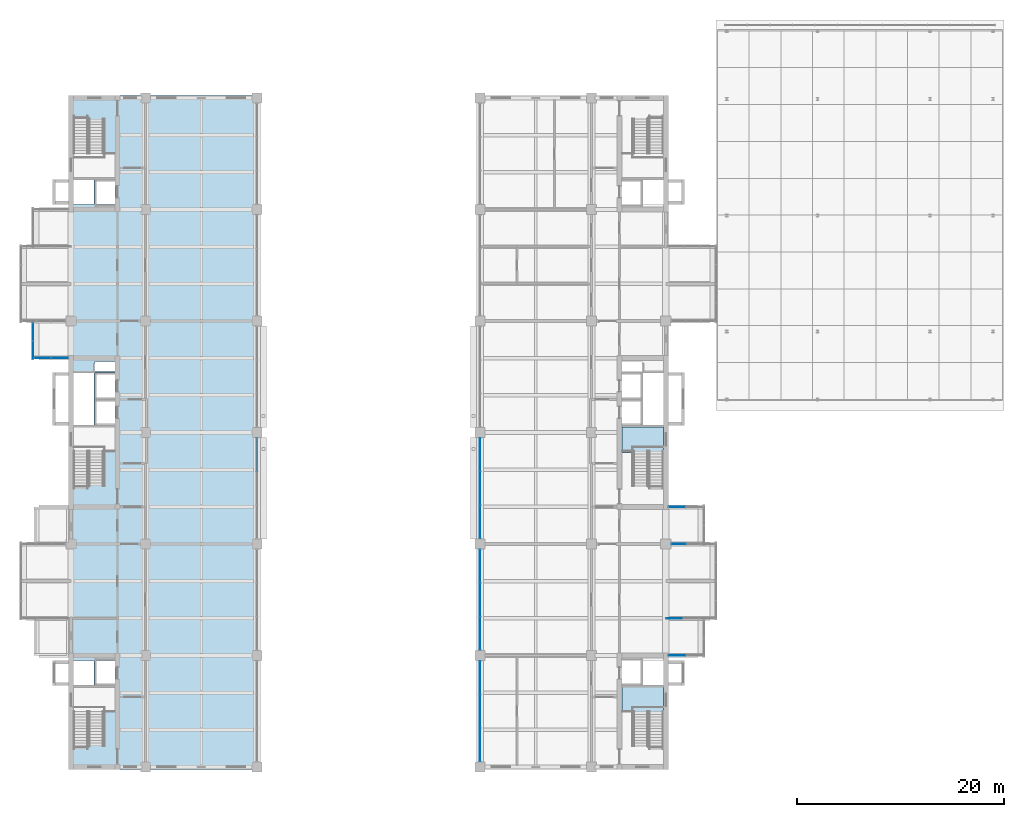
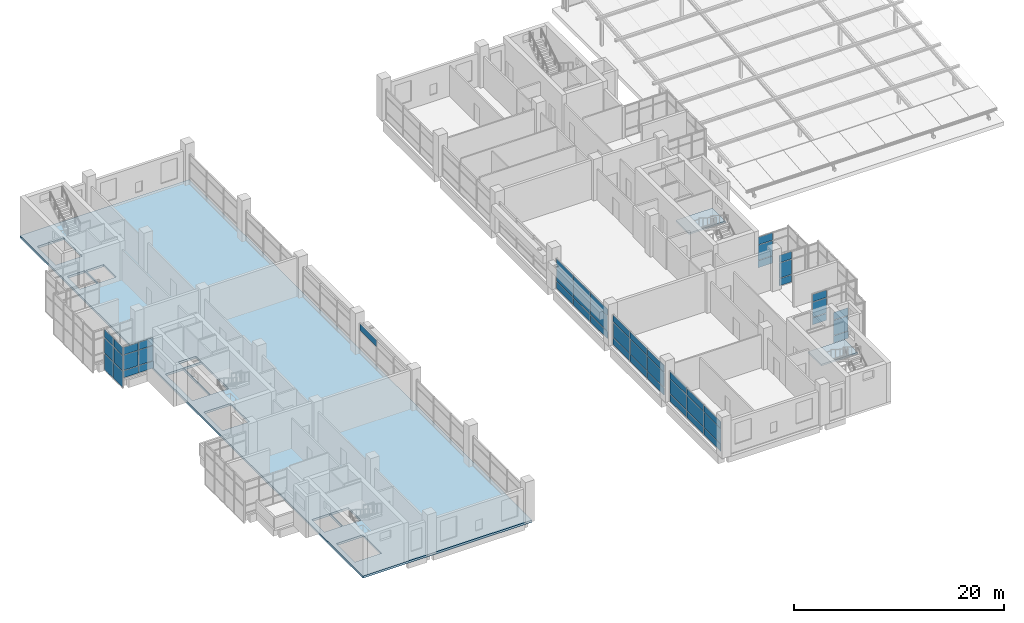
# One storey, part 30 of 44: 52 plates, 3 slabs, 12 elements without a shape of their own.
"""IFC4 building model written with IfcOpenShell, lengths in metres."""

from ifc_helpers import new_model, si_unit, direction, frame, origin, origin_2d, place, context, subcontext, project, spatial, polyline, rectangle, outline, extrude, material, layer, layer_set, type_object, element, aggregate, save


model = new_model("IFC4")

# Units and contexts
model_context = context("Model", 3, precision=1e-05, world=origin(), true_north=direction((0.0, 1.0)))
body_context = subcontext(model_context, "Body", "Model", "MODEL_VIEW")
ifc_project = project(units=[si_unit("LENGTHUNIT", "METRE"), si_unit("AREAUNIT", "SQUARE_METRE"), si_unit("VOLUMEUNIT", "CUBIC_METRE"), si_unit("PLANEANGLEUNIT", "RADIAN"), si_unit("MASSUNIT", "GRAM", prefix="KILO")], contexts=[model_context])

# Site, building, storey
site_placement = place(None, origin())
site = spatial("IfcSite", under=ifc_project, at=site_placement, CompositionType="ELEMENT")
building_placement = place(site_placement, origin())
building = spatial("IfcBuilding", under=site, at=building_placement, Name="Basin Gate Institute", CompositionType="ELEMENT")
storey_placement = place(building_placement, frame((0.0, 0.0, 27.0)))
storey = spatial("IfcBuildingStorey", under=building, at=storey_placement, Name="L05", CompositionType="ELEMENT", Elevation=27.0)

# Slab
ifc_material_1 = material(Name="Concrete 40 MPa", Category="concrete")
ifc_layer_1 = layer(ifc_material_1, 0.25)
ifc_layer_set_1 = layer_set([ifc_layer_1], Name="Concrete 40 MPa")
slab_type_1 = type_object("IfcSlabType", Name="Slab SL4 R120", PredefinedType="FLOOR", material=ifc_layer_set_1)
slab_1_placement = place(storey_placement, frame((0.0, 0.0, -0.25)))
element("IfcSlab", 1, at=slab_1_placement, inside=storey, type_object=slab_type_1, material=ifc_layer_set_1, Name="SLAB/L05/W", PredefinedType="FLOOR", context=body_context, shape_type="SweptSolid", body=[
    extrude(outline(polyline([(60.949951171875, 34.85009765625), (79.550048828125, 34.85009765625), (79.550048828125, 100.14990234375), (60.949951171875, 100.14990234375), (60.949951171875, 34.85009765625)]), holes=[polyline([(61.449951171875, 37.25), (64.39990234375, 37.25), (64.39990234375, 40.7900390625), (61.449951171875, 40.7900390625), (61.449951171875, 37.25)]), polyline([(61.449951171875, 62.449951171875), (64.39990234375, 62.449951171875), (64.39990234375, 65.989990234375), (61.449951171875, 65.989990234375), (61.449951171875, 62.449951171875)]), polyline([(61.449951171875, 94.2099609375), (64.39990234375, 94.2099609375), (64.39990234375, 97.75), (61.449951171875, 97.75), (61.449951171875, 94.2099609375)]), polyline([(61.449951171875, 43.0), (63.39990234375, 43.0), (63.39990234375, 45.39990234375), (61.449951171875, 45.39990234375), (61.449951171875, 43.0)]), polyline([(61.449951171875, 68.199951171875), (63.39990234375, 68.199951171875), (63.39990234375, 73.300048828125), (61.449951171875, 73.300048828125), (61.449951171875, 68.199951171875)]), polyline([(63.5, 73.39990234375), (65.449951171875, 73.39990234375), (65.449951171875, 74.39990234375), (63.5, 74.39990234375), (63.5, 73.39990234375)]), polyline([(61.449951171875, 89.60009765625), (63.39990234375, 89.60009765625), (63.39990234375, 92.0), (61.449951171875, 92.0), (61.449951171875, 89.60009765625)]), polyline([(63.5, 43.0), (65.449951171875, 43.0), (65.449951171875, 45.39990234375), (63.5, 45.39990234375), (63.5, 43.0)]), polyline([(65.449951171875, 68.199951171875), (63.5, 68.199951171875), (63.5, 73.300048828125), (65.449951171875, 73.300048828125), (65.449951171875, 68.199951171875)]), polyline([(63.5, 89.60009765625), (65.449951171875, 89.60009765625), (65.449951171875, 92.0), (63.5, 92.0), (63.5, 89.60009765625)])]), origin(), (0.0, 0.0, 1.0), 0.25),
])

# Curtain wall, plate
ifc_material_2 = material(Name="Aluminium-framed glazing", Category="aluminium")
ifc_layer_2 = layer(ifc_material_2, 0.199951171875)
ifc_layer_set_2 = layer_set([ifc_layer_2], Name="Atrium curtain wall CW2")
curtain_wall_type_1 = type_object("IfcCurtainWallType", Name="Atrium curtain wall CW2", PredefinedType="NOTDEFINED", material=ifc_layer_set_2)
curtain_wall_1_placement = place(storey_placement, origin())
curtain_wall_1 = element("IfcCurtainWall", 2, at=curtain_wall_1_placement, inside=storey, type_object=curtain_wall_type_1, material=ifc_layer_set_2, Name="Atrium curtain wall W wing atrium bay 3 L05", PredefinedType="NOTDEFINED")
ifc_material_3 = material(Name="Aluminium insulated spandrel panel", Category="aluminium")
ifc_layer_3 = layer(ifc_material_3, 0.050048828125)
ifc_layer_set_3 = layer_set([ifc_layer_3], Name="Spandrel panel PN2")
plate_type_1 = type_object("IfcPlateType", Name="Spandrel panel PN2", PredefinedType="CURTAIN_PANEL", material=ifc_layer_set_3)
plate_1_placement = place(storey_placement, frame((79.199951171875, 65.3515625, 2.72998046875), z_axis=(0.0, 0.0, 1.0), x_axis=(0.0, 1.0, 0.0)))
plate_1 = element("IfcPlate", 3, at=plate_1_placement, type_object=plate_type_1, material=ifc_layer_set_3, Name="CW2 spandrel panel 3.3", PredefinedType="CURTAIN_PANEL", context=body_context, shape_type="SweptSolid", body=[
    extrude(rectangle(XDim=3.1767578125, YDim=0.050048828125, at=origin_2d()), origin(), (0.0, 0.0, 1.0), 0.760009765625),
])
aggregate(curtain_wall_1, [plate_1])

# Curtain wall, plates
ifc_material_4 = material(Name="Aluminium-framed glazing", Category="aluminium")
ifc_layer_4 = layer(ifc_material_4, 0.14990234375)
ifc_layer_set_4 = layer_set([ifc_layer_4], Name="Capsule front curtain wall CW1")
curtain_wall_type_2 = type_object("IfcCurtainWallType", Name="Capsule front curtain wall CW1", PredefinedType="NOTDEFINED", material=ifc_layer_set_4)
curtain_wall_2_placement = place(storey_placement, origin())
curtain_wall_2 = element("IfcCurtainWall", 4, at=curtain_wall_2_placement, inside=storey, type_object=curtain_wall_type_2, material=ifc_layer_set_4, Name="Capsule front curtain wall W wing capsule end L05 line 12", PredefinedType="NOTDEFINED")
plate_2_placement = place(storey_placement, frame((58.449951171875, 74.699951171875, 0.06005859375), z_axis=(0.0, 0.0, 1.0), x_axis=(1.0, 0.0, 0.0)))
plate_2 = element("IfcPlate", 5, at=plate_2_placement, type_object=plate_type_1, material=ifc_layer_set_3, Name="CW1 spandrel panel 1.1", PredefinedType="CURTAIN_PANEL", context=body_context, shape_type="SweptSolid", body=[
    extrude(rectangle(XDim=1.60009765625, YDim=0.050048828125, at=origin_2d()), origin(), (0.0, 0.0, 1.0), 0.81005859375),
])
plate_3_placement = place(storey_placement, frame((60.10009765625, 74.699951171875, 0.06005859375), z_axis=(0.0, 0.0, 1.0), x_axis=(1.0, 0.0, 0.0)))
plate_3 = element("IfcPlate", 6, at=plate_3_placement, type_object=plate_type_1, material=ifc_layer_set_3, Name="CW1 spandrel panel 2.1", PredefinedType="CURTAIN_PANEL", context=body_context, shape_type="SweptSolid", body=[
    extrude(rectangle(XDim=1.60009765625, YDim=0.050048828125, at=origin_2d()), origin(), (0.0, 0.0, 1.0), 0.81005859375),
])

curtain_wall_3_placement = place(storey_placement, origin())
curtain_wall_3 = element("IfcCurtainWall", 7, at=curtain_wall_3_placement, inside=storey, type_object=curtain_wall_type_2, material=ifc_layer_set_4, Name="Capsule front curtain wall W wing capsule 2 L05 front 1", PredefinedType="NOTDEFINED")
plate_4_placement = place(storey_placement, frame((57.52490234375, 75.46240234375, -0.990234375), z_axis=(0.0, 0.0, 1.0), x_axis=(0.0, 1.0, 0.0)))
plate_4 = element("IfcPlate", 8, at=plate_4_placement, type_object=plate_type_1, material=ifc_layer_set_3, Name="CW1 spandrel panel 1.1", PredefinedType="CURTAIN_PANEL", context=body_context, shape_type="SweptSolid", body=[
    extrude(rectangle(XDim=1.72509765625, YDim=0.050048828125, at=origin_2d()), origin(), (0.0, 0.0, 1.0), 1.860107421875),
])
plate_5_placement = place(storey_placement, frame((57.52490234375, 77.237548828125, -0.990234375), z_axis=(0.0, 0.0, 1.0), x_axis=(0.0, 1.0, 0.0)))
plate_5 = element("IfcPlate", 9, at=plate_5_placement, type_object=plate_type_1, material=ifc_layer_set_3, Name="CW1 spandrel panel 2.1", PredefinedType="CURTAIN_PANEL", context=body_context, shape_type="SweptSolid", body=[
    extrude(rectangle(XDim=1.72509765625, YDim=0.050048828125, at=origin_2d()), origin(), (0.0, 0.0, 1.0), 1.860107421875),
])

curtain_wall_4_placement = place(storey_placement, origin())
curtain_wall_4 = element("IfcCurtainWall", 10, at=curtain_wall_4_placement, inside=storey, type_object=curtain_wall_type_1, material=ifc_layer_set_2, Name="Atrium curtain wall E wing atrium bay 1 L05", PredefinedType="NOTDEFINED")
plate_6_placement = place(storey_placement, frame((100.800048828125, 37.248291015625, 0.06005859375), z_axis=(0.0, 0.0, 1.0), x_axis=(0.0, 1.0, 0.0)))
plate_6 = element("IfcPlate", 11, at=plate_6_placement, type_object=plate_type_1, material=ifc_layer_set_3, Name="CW2 spandrel panel 1.1", PredefinedType="CURTAIN_PANEL", context=body_context, shape_type="SweptSolid", body=[
    extrude(rectangle(XDim=3.1767578125, YDim=0.050048828125, at=origin_2d()), origin(), (0.0, 0.0, 1.0), 0.81005859375),
])
plate_7_placement = place(storey_placement, frame((100.800048828125, 37.248291015625, 2.72998046875), z_axis=(0.0, 0.0, 1.0), x_axis=(0.0, 1.0, 0.0)))
plate_7 = element("IfcPlate", 12, at=plate_7_placement, type_object=plate_type_1, material=ifc_layer_set_3, Name="CW2 spandrel panel 1.3", PredefinedType="CURTAIN_PANEL", context=body_context, shape_type="SweptSolid", body=[
    extrude(rectangle(XDim=3.1767578125, YDim=0.050048828125, at=origin_2d()), origin(), (0.0, 0.0, 1.0), 0.760009765625),
])
plate_8_placement = place(storey_placement, frame((100.800048828125, 40.5, 0.06005859375), z_axis=(0.0, 0.0, 1.0), x_axis=(0.0, 1.0, 0.0)))
plate_8 = element("IfcPlate", 13, at=plate_8_placement, type_object=plate_type_1, material=ifc_layer_set_3, Name="CW2 spandrel panel 2.1", PredefinedType="CURTAIN_PANEL", context=body_context, shape_type="SweptSolid", body=[
    extrude(rectangle(XDim=3.206787109375, YDim=0.050048828125, at=origin_2d()), origin(), (0.0, 0.0, 1.0), 0.81005859375),
])
plate_9_placement = place(storey_placement, frame((100.800048828125, 40.5, 2.72998046875), z_axis=(0.0, 0.0, 1.0), x_axis=(0.0, 1.0, 0.0)))
plate_9 = element("IfcPlate", 14, at=plate_9_placement, type_object=plate_type_1, material=ifc_layer_set_3, Name="CW2 spandrel panel 2.3", PredefinedType="CURTAIN_PANEL", context=body_context, shape_type="SweptSolid", body=[
    extrude(rectangle(XDim=3.206787109375, YDim=0.050048828125, at=origin_2d()), origin(), (0.0, 0.0, 1.0), 0.760009765625),
])
plate_10_placement = place(storey_placement, frame((100.800048828125, 43.751708984375, 0.06005859375), z_axis=(0.0, 0.0, 1.0), x_axis=(0.0, 1.0, 0.0)))
plate_10 = element("IfcPlate", 15, at=plate_10_placement, type_object=plate_type_1, material=ifc_layer_set_3, Name="CW2 spandrel panel 3.1", PredefinedType="CURTAIN_PANEL", context=body_context, shape_type="SweptSolid", body=[
    extrude(rectangle(XDim=3.1767578125, YDim=0.050048828125, at=origin_2d()), origin(), (0.0, 0.0, 1.0), 0.81005859375),
])
plate_11_placement = place(storey_placement, frame((100.800048828125, 43.751708984375, 2.72998046875), z_axis=(0.0, 0.0, 1.0), x_axis=(0.0, 1.0, 0.0)))
plate_11 = element("IfcPlate", 16, at=plate_11_placement, type_object=plate_type_1, material=ifc_layer_set_3, Name="CW2 spandrel panel 3.3", PredefinedType="CURTAIN_PANEL", context=body_context, shape_type="SweptSolid", body=[
    extrude(rectangle(XDim=3.1767578125, YDim=0.050048828125, at=origin_2d()), origin(), (0.0, 0.0, 1.0), 0.760009765625),
])

curtain_wall_5_placement = place(storey_placement, origin())
curtain_wall_5 = element("IfcCurtainWall", 17, at=curtain_wall_5_placement, inside=storey, type_object=curtain_wall_type_1, material=ifc_layer_set_2, Name="Atrium curtain wall E wing atrium bay 2 L05", PredefinedType="NOTDEFINED")
plate_12_placement = place(storey_placement, frame((100.800048828125, 48.04833984375, 0.06005859375), z_axis=(0.0, 0.0, 1.0), x_axis=(0.0, 1.0, 0.0)))
plate_12 = element("IfcPlate", 18, at=plate_12_placement, type_object=plate_type_1, material=ifc_layer_set_3, Name="CW2 spandrel panel 1.1", PredefinedType="CURTAIN_PANEL", context=body_context, shape_type="SweptSolid", body=[
    extrude(rectangle(XDim=3.1767578125, YDim=0.050048828125, at=origin_2d()), origin(), (0.0, 0.0, 1.0), 0.81005859375),
])
plate_13_placement = place(storey_placement, frame((100.800048828125, 48.04833984375, 2.72998046875), z_axis=(0.0, 0.0, 1.0), x_axis=(0.0, 1.0, 0.0)))
plate_13 = element("IfcPlate", 19, at=plate_13_placement, type_object=plate_type_1, material=ifc_layer_set_3, Name="CW2 spandrel panel 1.3", PredefinedType="CURTAIN_PANEL", context=body_context, shape_type="SweptSolid", body=[
    extrude(rectangle(XDim=3.1767578125, YDim=0.050048828125, at=origin_2d()), origin(), (0.0, 0.0, 1.0), 0.760009765625),
])
plate_14_placement = place(storey_placement, frame((100.800048828125, 51.300048828125, 0.06005859375), z_axis=(0.0, 0.0, 1.0), x_axis=(0.0, 1.0, 0.0)))
plate_14 = element("IfcPlate", 20, at=plate_14_placement, type_object=plate_type_1, material=ifc_layer_set_3, Name="CW2 spandrel panel 2.1", PredefinedType="CURTAIN_PANEL", context=body_context, shape_type="SweptSolid", body=[
    extrude(rectangle(XDim=3.206787109375, YDim=0.050048828125, at=origin_2d()), origin(), (0.0, 0.0, 1.0), 0.81005859375),
])
plate_15_placement = place(storey_placement, frame((100.800048828125, 51.300048828125, 2.72998046875), z_axis=(0.0, 0.0, 1.0), x_axis=(0.0, 1.0, 0.0)))
plate_15 = element("IfcPlate", 21, at=plate_15_placement, type_object=plate_type_1, material=ifc_layer_set_3, Name="CW2 spandrel panel 2.3", PredefinedType="CURTAIN_PANEL", context=body_context, shape_type="SweptSolid", body=[
    extrude(rectangle(XDim=3.206787109375, YDim=0.050048828125, at=origin_2d()), origin(), (0.0, 0.0, 1.0), 0.760009765625),
])
plate_16_placement = place(storey_placement, frame((100.800048828125, 54.5517578125, 0.06005859375), z_axis=(0.0, 0.0, 1.0), x_axis=(0.0, 1.0, 0.0)))
plate_16 = element("IfcPlate", 22, at=plate_16_placement, type_object=plate_type_1, material=ifc_layer_set_3, Name="CW2 spandrel panel 3.1", PredefinedType="CURTAIN_PANEL", context=body_context, shape_type="SweptSolid", body=[
    extrude(rectangle(XDim=3.1767578125, YDim=0.050048828125, at=origin_2d()), origin(), (0.0, 0.0, 1.0), 0.81005859375),
])
plate_17_placement = place(storey_placement, frame((100.800048828125, 54.5517578125, 2.72998046875), z_axis=(0.0, 0.0, 1.0), x_axis=(0.0, 1.0, 0.0)))
plate_17 = element("IfcPlate", 23, at=plate_17_placement, type_object=plate_type_1, material=ifc_layer_set_3, Name="CW2 spandrel panel 3.3", PredefinedType="CURTAIN_PANEL", context=body_context, shape_type="SweptSolid", body=[
    extrude(rectangle(XDim=3.1767578125, YDim=0.050048828125, at=origin_2d()), origin(), (0.0, 0.0, 1.0), 0.760009765625),
])

curtain_wall_6_placement = place(storey_placement, origin())
curtain_wall_6 = element("IfcCurtainWall", 24, at=curtain_wall_6_placement, inside=storey, type_object=curtain_wall_type_1, material=ifc_layer_set_2, Name="Atrium curtain wall E wing atrium bay 3 L05", PredefinedType="NOTDEFINED")
plate_18_placement = place(storey_placement, frame((100.800048828125, 58.848388671875, 0.06005859375), z_axis=(0.0, 0.0, 1.0), x_axis=(0.0, 1.0, 0.0)))
plate_18 = element("IfcPlate", 25, at=plate_18_placement, type_object=plate_type_1, material=ifc_layer_set_3, Name="CW2 spandrel panel 1.1", PredefinedType="CURTAIN_PANEL", context=body_context, shape_type="SweptSolid", body=[
    extrude(rectangle(XDim=3.1767578125, YDim=0.050048828125, at=origin_2d()), origin(), (0.0, 0.0, 1.0), 0.81005859375),
])
plate_19_placement = place(storey_placement, frame((100.800048828125, 58.848388671875, 2.72998046875), z_axis=(0.0, 0.0, 1.0), x_axis=(0.0, 1.0, 0.0)))
plate_19 = element("IfcPlate", 26, at=plate_19_placement, type_object=plate_type_1, material=ifc_layer_set_3, Name="CW2 spandrel panel 1.3", PredefinedType="CURTAIN_PANEL", context=body_context, shape_type="SweptSolid", body=[
    extrude(rectangle(XDim=3.1767578125, YDim=0.050048828125, at=origin_2d()), origin(), (0.0, 0.0, 1.0), 0.760009765625),
])
plate_20_placement = place(storey_placement, frame((100.800048828125, 62.10009765625, 0.06005859375), z_axis=(0.0, 0.0, 1.0), x_axis=(0.0, 1.0, 0.0)))
plate_20 = element("IfcPlate", 27, at=plate_20_placement, type_object=plate_type_1, material=ifc_layer_set_3, Name="CW2 spandrel panel 2.1", PredefinedType="CURTAIN_PANEL", context=body_context, shape_type="SweptSolid", body=[
    extrude(rectangle(XDim=3.206787109375, YDim=0.050048828125, at=origin_2d()), origin(), (0.0, 0.0, 1.0), 0.81005859375),
])
plate_21_placement = place(storey_placement, frame((100.800048828125, 62.10009765625, 2.72998046875), z_axis=(0.0, 0.0, 1.0), x_axis=(0.0, 1.0, 0.0)))
plate_21 = element("IfcPlate", 28, at=plate_21_placement, type_object=plate_type_1, material=ifc_layer_set_3, Name="CW2 spandrel panel 2.3", PredefinedType="CURTAIN_PANEL", context=body_context, shape_type="SweptSolid", body=[
    extrude(rectangle(XDim=3.206787109375, YDim=0.050048828125, at=origin_2d()), origin(), (0.0, 0.0, 1.0), 0.760009765625),
])
plate_22_placement = place(storey_placement, frame((100.800048828125, 65.3515625, 0.06005859375), z_axis=(0.0, 0.0, 1.0), x_axis=(0.0, 1.0, 0.0)))
plate_22 = element("IfcPlate", 29, at=plate_22_placement, type_object=plate_type_1, material=ifc_layer_set_3, Name="CW2 spandrel panel 3.1", PredefinedType="CURTAIN_PANEL", context=body_context, shape_type="SweptSolid", body=[
    extrude(rectangle(XDim=3.1767578125, YDim=0.050048828125, at=origin_2d()), origin(), (0.0, 0.0, 1.0), 0.81005859375),
])
plate_23_placement = place(storey_placement, frame((100.800048828125, 65.3515625, 2.72998046875), z_axis=(0.0, 0.0, 1.0), x_axis=(0.0, 1.0, 0.0)))
plate_23 = element("IfcPlate", 30, at=plate_23_placement, type_object=plate_type_1, material=ifc_layer_set_3, Name="CW2 spandrel panel 3.3", PredefinedType="CURTAIN_PANEL", context=body_context, shape_type="SweptSolid", body=[
    extrude(rectangle(XDim=3.1767578125, YDim=0.050048828125, at=origin_2d()), origin(), (0.0, 0.0, 1.0), 0.760009765625),
])

# Curtain wall, plate
curtain_wall_7_placement = place(storey_placement, origin())
curtain_wall_7 = element("IfcCurtainWall", 31, at=curtain_wall_7_placement, inside=storey, type_object=curtain_wall_type_2, material=ifc_layer_set_4, Name="Capsule front curtain wall E wing capsule end L05 line 4", PredefinedType="NOTDEFINED")
plate_24_placement = place(storey_placement, frame((119.89990234375, 45.89990234375, 0.06005859375), z_axis=(0.0, 0.0, 1.0), x_axis=(-1.0, 0.0, 0.0)))
plate_24 = element("IfcPlate", 32, at=plate_24_placement, type_object=plate_type_1, material=ifc_layer_set_3, Name="CW1 spandrel panel 2.1", PredefinedType="CURTAIN_PANEL", context=body_context, shape_type="SweptSolid", body=[
    extrude(rectangle(XDim=1.60009765625, YDim=0.050048828125, at=origin_2d()), origin(), (0.0, 0.0, 1.0), 0.81005859375),
])

curtain_wall_8_placement = place(storey_placement, origin())
curtain_wall_8 = element("IfcCurtainWall", 33, at=curtain_wall_8_placement, inside=storey, type_object=curtain_wall_type_2, material=ifc_layer_set_4, Name="Capsule front curtain wall E wing capsule end L05 line 5", PredefinedType="NOTDEFINED")
plate_25_placement = place(storey_placement, frame((119.612548828125, 49.5, 0.06005859375), z_axis=(0.0, 0.0, 1.0), x_axis=(-1.0, 0.0, 0.0)))
plate_25 = element("IfcPlate", 34, at=plate_25_placement, type_object=plate_type_1, material=ifc_layer_set_3, Name="CW1 spandrel panel 3.1", PredefinedType="CURTAIN_PANEL", context=body_context, shape_type="SweptSolid", body=[
    extrude(rectangle(XDim=1.52490234375, YDim=0.050048828125, at=origin_2d()), origin(), (0.0, 0.0, 1.0), 0.81005859375),
])

curtain_wall_9_placement = place(storey_placement, origin())
curtain_wall_9 = element("IfcCurtainWall", 35, at=curtain_wall_9_placement, inside=storey, type_object=curtain_wall_type_2, material=ifc_layer_set_4, Name="Capsule front curtain wall E wing capsule end L05 line 7", PredefinedType="NOTDEFINED")
plate_26_placement = place(storey_placement, frame((120.029052734375, 56.699951171875, 0.06005859375), z_axis=(0.0, 0.0, 1.0), x_axis=(-1.0, 0.0, 0.0)))
plate_26 = element("IfcPlate", 36, at=plate_26_placement, type_object=plate_type_1, material=ifc_layer_set_3, Name="CW1 spandrel panel 3.1", PredefinedType="CURTAIN_PANEL", context=body_context, shape_type="SweptSolid", body=[
    extrude(rectangle(XDim=1.3583984375, YDim=0.050048828125, at=origin_2d()), origin(), (0.0, 0.0, 1.0), 0.81005859375),
])

curtain_wall_10_placement = place(storey_placement, origin())
curtain_wall_10 = element("IfcCurtainWall", 37, at=curtain_wall_10_placement, inside=storey, type_object=curtain_wall_type_2, material=ifc_layer_set_4, Name="Capsule front curtain wall E wing capsule end L05 line 8", PredefinedType="NOTDEFINED")
plate_27_placement = place(storey_placement, frame((119.89990234375, 60.300048828125, 0.06005859375), z_axis=(0.0, 0.0, 1.0), x_axis=(-1.0, 0.0, 0.0)))
plate_27 = element("IfcPlate", 38, at=plate_27_placement, type_object=plate_type_1, material=ifc_layer_set_3, Name="CW1 spandrel panel 2.1", PredefinedType="CURTAIN_PANEL", context=body_context, shape_type="SweptSolid", body=[
    extrude(rectangle(XDim=1.60009765625, YDim=0.050048828125, at=origin_2d()), origin(), (0.0, 0.0, 1.0), 0.81005859375),
])

# Stair, slab
ifc_material_5 = material(Name="Concrete 40 MPa", Category="concrete")
stair_type = type_object("IfcStairType", Name="Stair ST", PredefinedType="HALF_TURN_STAIR", material=ifc_material_5)
stair_1_placement = place(storey_placement, origin())
stair_1 = element("IfcStair", 39, at=stair_1_placement, inside=storey, type_object=stair_type, material=ifc_material_5, Name="Special safe stair ST-ES L05", PredefinedType="HALF_TURN_STAIR")
ifc_material_6 = material(Name="Concrete 40 MPa", Category="concrete")
ifc_layer_5 = layer(ifc_material_6, 0.199951171875)
ifc_layer_set_5 = layer_set([ifc_layer_5], Name="Concrete 40 MPa")
slab_type_2 = type_object("IfcSlabType", Name="Stair landing LN REI 120", PredefinedType="LANDING", material=ifc_layer_set_5)
slab_2_placement = place(storey_placement, frame((0.0, 0.0, 2.288818359375)))
slab_2 = element("IfcSlab", 40, at=slab_2_placement, type_object=slab_type_2, material=ifc_layer_set_5, Name="Stair landing ST-ES-L1 L05", PredefinedType="LANDING", context=body_context, shape_type="SweptSolid", body=[
    extrude(outline(polyline([(118.550048828125, 42.85009765625), (114.550048828125, 42.85009765625), (114.550048828125, 40.3701171875), (118.550048828125, 40.3701171875), (118.550048828125, 42.85009765625)])), origin(), (0.0, 0.0, 1.0), 0.199951171875),
])
aggregate(stair_1, [slab_2])

stair_2_placement = place(storey_placement, origin())
stair_2 = element("IfcStair", 41, at=stair_2_placement, inside=storey, type_object=stair_type, material=ifc_material_5, Name="Special safe stair ST-EM L05", PredefinedType="HALF_TURN_STAIR")
slab_3_placement = place(storey_placement, frame((0.0, 0.0, 2.288818359375)))
slab_3 = element("IfcSlab", 42, at=slab_3_placement, type_object=slab_type_2, material=ifc_layer_set_5, Name="Stair landing ST-EM-L1 L05", PredefinedType="LANDING", context=body_context, shape_type="SweptSolid", body=[
    extrude(outline(polyline([(118.550048828125, 68.050048828125), (114.550048828125, 68.050048828125), (114.550048828125, 65.570068359375), (118.550048828125, 65.570068359375), (118.550048828125, 68.050048828125)])), origin(), (0.0, 0.0, 1.0), 0.199951171875),
])
aggregate(stair_2, [slab_3])

# Plate
ifc_material_7 = material(Name="Double glazed unit")
ifc_layer_6 = layer(ifc_material_7, 0.028076171875)
ifc_layer_set_6 = layer_set([ifc_layer_6], Name="Vision panel PN1")
plate_type_2 = type_object("IfcPlateType", Name="Vision panel PN1", PredefinedType="CURTAIN_PANEL", material=ifc_layer_set_6)
plate_28_placement = place(storey_placement, frame((58.449951171875, 74.699951171875, 0.93017578125), z_axis=(0.0, 0.0, 1.0), x_axis=(1.0, 0.0, 0.0)))
plate_28 = element("IfcPlate", 43, at=plate_28_placement, type_object=plate_type_2, material=ifc_layer_set_6, Name="CW1 vision panel 1.2", PredefinedType="CURTAIN_PANEL", context=body_context, shape_type="SweptSolid", body=[
    extrude(rectangle(XDim=1.60009765625, YDim=0.028076171875, at=origin_2d()), origin(), (0.0, 0.0, 1.0), 1.739990234375),
])

plate_29_placement = place(storey_placement, frame((58.449951171875, 74.699951171875, 2.72998046875), z_axis=(0.0, 0.0, 1.0), x_axis=(1.0, 0.0, 0.0)))
plate_29 = element("IfcPlate", 44, at=plate_29_placement, type_object=plate_type_2, material=ifc_layer_set_6, Name="CW1 vision panel 1.3", PredefinedType="CURTAIN_PANEL", context=body_context, shape_type="SweptSolid", body=[
    extrude(rectangle(XDim=1.60009765625, YDim=0.028076171875, at=origin_2d()), origin(), (0.0, 0.0, 1.0), 0.860107421875),
])

plate_30_placement = place(storey_placement, frame((60.10009765625, 74.699951171875, 0.93017578125), z_axis=(0.0, 0.0, 1.0), x_axis=(1.0, 0.0, 0.0)))
plate_30 = element("IfcPlate", 45, at=plate_30_placement, type_object=plate_type_2, material=ifc_layer_set_6, Name="CW1 vision panel 2.2", PredefinedType="CURTAIN_PANEL", context=body_context, shape_type="SweptSolid", body=[
    extrude(rectangle(XDim=1.60009765625, YDim=0.028076171875, at=origin_2d()), origin(), (0.0, 0.0, 1.0), 1.739990234375),
])

plate_31_placement = place(storey_placement, frame((60.10009765625, 74.699951171875, 2.72998046875), z_axis=(0.0, 0.0, 1.0), x_axis=(1.0, 0.0, 0.0)))
plate_31 = element("IfcPlate", 46, at=plate_31_placement, type_object=plate_type_2, material=ifc_layer_set_6, Name="CW1 vision panel 2.3", PredefinedType="CURTAIN_PANEL", context=body_context, shape_type="SweptSolid", body=[
    extrude(rectangle(XDim=1.60009765625, YDim=0.028076171875, at=origin_2d()), origin(), (0.0, 0.0, 1.0), 0.860107421875),
])

aggregate(curtain_wall_2, [plate_2, plate_28, plate_29, plate_3, plate_30, plate_31])

plate_32_placement = place(storey_placement, frame((57.52490234375, 75.46240234375, 0.93017578125), z_axis=(0.0, 0.0, 1.0), x_axis=(0.0, 1.0, 0.0)))
plate_32 = element("IfcPlate", 47, at=plate_32_placement, type_object=plate_type_2, material=ifc_layer_set_6, Name="CW1 vision panel 1.2", PredefinedType="CURTAIN_PANEL", context=body_context, shape_type="SweptSolid", body=[
    extrude(rectangle(XDim=1.72509765625, YDim=0.028076171875, at=origin_2d()), origin(), (0.0, 0.0, 1.0), 1.739990234375),
])

plate_33_placement = place(storey_placement, frame((57.52490234375, 75.46240234375, 2.72998046875), z_axis=(0.0, 0.0, 1.0), x_axis=(0.0, 1.0, 0.0)))
plate_33 = element("IfcPlate", 48, at=plate_33_placement, type_object=plate_type_2, material=ifc_layer_set_6, Name="CW1 vision panel 1.3", PredefinedType="CURTAIN_PANEL", context=body_context, shape_type="SweptSolid", body=[
    extrude(rectangle(XDim=1.72509765625, YDim=0.028076171875, at=origin_2d()), origin(), (0.0, 0.0, 1.0), 0.9599609375),
])

plate_34_placement = place(storey_placement, frame((57.52490234375, 77.237548828125, 0.93017578125), z_axis=(0.0, 0.0, 1.0), x_axis=(0.0, 1.0, 0.0)))
plate_34 = element("IfcPlate", 49, at=plate_34_placement, type_object=plate_type_2, material=ifc_layer_set_6, Name="CW1 vision panel 2.2", PredefinedType="CURTAIN_PANEL", context=body_context, shape_type="SweptSolid", body=[
    extrude(rectangle(XDim=1.72509765625, YDim=0.028076171875, at=origin_2d()), origin(), (0.0, 0.0, 1.0), 1.739990234375),
])

plate_35_placement = place(storey_placement, frame((57.52490234375, 77.237548828125, 2.72998046875), z_axis=(0.0, 0.0, 1.0), x_axis=(0.0, 1.0, 0.0)))
plate_35 = element("IfcPlate", 50, at=plate_35_placement, type_object=plate_type_2, material=ifc_layer_set_6, Name="CW1 vision panel 2.3", PredefinedType="CURTAIN_PANEL", context=body_context, shape_type="SweptSolid", body=[
    extrude(rectangle(XDim=1.72509765625, YDim=0.028076171875, at=origin_2d()), origin(), (0.0, 0.0, 1.0), 0.9599609375),
])

aggregate(curtain_wall_3, [plate_4, plate_32, plate_33, plate_5, plate_34, plate_35])

plate_36_placement = place(storey_placement, frame((100.800048828125, 37.248291015625, 0.93017578125), z_axis=(0.0, 0.0, 1.0), x_axis=(0.0, 1.0, 0.0)))
plate_36 = element("IfcPlate", 51, at=plate_36_placement, type_object=plate_type_2, material=ifc_layer_set_6, Name="CW2 vision panel 1.2", PredefinedType="CURTAIN_PANEL", context=body_context, shape_type="SweptSolid", body=[
    extrude(rectangle(XDim=3.1767578125, YDim=0.028076171875, at=origin_2d()), origin(), (0.0, 0.0, 1.0), 1.739990234375),
])

plate_37_placement = place(storey_placement, frame((100.800048828125, 40.5, 0.93017578125), z_axis=(0.0, 0.0, 1.0), x_axis=(0.0, 1.0, 0.0)))
plate_37 = element("IfcPlate", 52, at=plate_37_placement, type_object=plate_type_2, material=ifc_layer_set_6, Name="CW2 vision panel 2.2", PredefinedType="CURTAIN_PANEL", context=body_context, shape_type="SweptSolid", body=[
    extrude(rectangle(XDim=3.206787109375, YDim=0.028076171875, at=origin_2d()), origin(), (0.0, 0.0, 1.0), 1.739990234375),
])

plate_38_placement = place(storey_placement, frame((100.800048828125, 43.751708984375, 0.93017578125), z_axis=(0.0, 0.0, 1.0), x_axis=(0.0, 1.0, 0.0)))
plate_38 = element("IfcPlate", 53, at=plate_38_placement, type_object=plate_type_2, material=ifc_layer_set_6, Name="CW2 vision panel 3.2", PredefinedType="CURTAIN_PANEL", context=body_context, shape_type="SweptSolid", body=[
    extrude(rectangle(XDim=3.1767578125, YDim=0.028076171875, at=origin_2d()), origin(), (0.0, 0.0, 1.0), 1.739990234375),
])

aggregate(curtain_wall_4, [plate_6, plate_36, plate_7, plate_8, plate_37, plate_9, plate_10, plate_38, plate_11])

plate_39_placement = place(storey_placement, frame((100.800048828125, 48.04833984375, 0.93017578125), z_axis=(0.0, 0.0, 1.0), x_axis=(0.0, 1.0, 0.0)))
plate_39 = element("IfcPlate", 54, at=plate_39_placement, type_object=plate_type_2, material=ifc_layer_set_6, Name="CW2 vision panel 1.2", PredefinedType="CURTAIN_PANEL", context=body_context, shape_type="SweptSolid", body=[
    extrude(rectangle(XDim=3.1767578125, YDim=0.028076171875, at=origin_2d()), origin(), (0.0, 0.0, 1.0), 1.739990234375),
])

plate_40_placement = place(storey_placement, frame((100.800048828125, 51.300048828125, 0.93017578125), z_axis=(0.0, 0.0, 1.0), x_axis=(0.0, 1.0, 0.0)))
plate_40 = element("IfcPlate", 55, at=plate_40_placement, type_object=plate_type_2, material=ifc_layer_set_6, Name="CW2 vision panel 2.2", PredefinedType="CURTAIN_PANEL", context=body_context, shape_type="SweptSolid", body=[
    extrude(rectangle(XDim=3.206787109375, YDim=0.028076171875, at=origin_2d()), origin(), (0.0, 0.0, 1.0), 1.739990234375),
])

plate_41_placement = place(storey_placement, frame((100.800048828125, 54.5517578125, 0.93017578125), z_axis=(0.0, 0.0, 1.0), x_axis=(0.0, 1.0, 0.0)))
plate_41 = element("IfcPlate", 56, at=plate_41_placement, type_object=plate_type_2, material=ifc_layer_set_6, Name="CW2 vision panel 3.2", PredefinedType="CURTAIN_PANEL", context=body_context, shape_type="SweptSolid", body=[
    extrude(rectangle(XDim=3.1767578125, YDim=0.028076171875, at=origin_2d()), origin(), (0.0, 0.0, 1.0), 1.739990234375),
])

aggregate(curtain_wall_5, [plate_12, plate_39, plate_13, plate_14, plate_40, plate_15, plate_16, plate_41, plate_17])

plate_42_placement = place(storey_placement, frame((100.800048828125, 58.848388671875, 0.93017578125), z_axis=(0.0, 0.0, 1.0), x_axis=(0.0, 1.0, 0.0)))
plate_42 = element("IfcPlate", 57, at=plate_42_placement, type_object=plate_type_2, material=ifc_layer_set_6, Name="CW2 vision panel 1.2", PredefinedType="CURTAIN_PANEL", context=body_context, shape_type="SweptSolid", body=[
    extrude(rectangle(XDim=3.1767578125, YDim=0.028076171875, at=origin_2d()), origin(), (0.0, 0.0, 1.0), 1.739990234375),
])

plate_43_placement = place(storey_placement, frame((100.800048828125, 62.10009765625, 0.93017578125), z_axis=(0.0, 0.0, 1.0), x_axis=(0.0, 1.0, 0.0)))
plate_43 = element("IfcPlate", 58, at=plate_43_placement, type_object=plate_type_2, material=ifc_layer_set_6, Name="CW2 vision panel 2.2", PredefinedType="CURTAIN_PANEL", context=body_context, shape_type="SweptSolid", body=[
    extrude(rectangle(XDim=3.206787109375, YDim=0.028076171875, at=origin_2d()), origin(), (0.0, 0.0, 1.0), 1.739990234375),
])

plate_44_placement = place(storey_placement, frame((100.800048828125, 65.3515625, 0.93017578125), z_axis=(0.0, 0.0, 1.0), x_axis=(0.0, 1.0, 0.0)))
plate_44 = element("IfcPlate", 59, at=plate_44_placement, type_object=plate_type_2, material=ifc_layer_set_6, Name="CW2 vision panel 3.2", PredefinedType="CURTAIN_PANEL", context=body_context, shape_type="SweptSolid", body=[
    extrude(rectangle(XDim=3.1767578125, YDim=0.028076171875, at=origin_2d()), origin(), (0.0, 0.0, 1.0), 1.739990234375),
])

aggregate(curtain_wall_6, [plate_18, plate_42, plate_19, plate_20, plate_43, plate_21, plate_22, plate_44, plate_23])

plate_45_placement = place(storey_placement, frame((119.89990234375, 45.89990234375, 0.93017578125), z_axis=(0.0, 0.0, 1.0), x_axis=(-1.0, 0.0, 0.0)))
plate_45 = element("IfcPlate", 60, at=plate_45_placement, type_object=plate_type_2, material=ifc_layer_set_6, Name="CW1 vision panel 2.2", PredefinedType="CURTAIN_PANEL", context=body_context, shape_type="SweptSolid", body=[
    extrude(rectangle(XDim=1.60009765625, YDim=0.028076171875, at=origin_2d()), origin(), (0.0, 0.0, 1.0), 1.739990234375),
])

plate_46_placement = place(storey_placement, frame((119.89990234375, 45.89990234375, 2.72998046875), z_axis=(0.0, 0.0, 1.0), x_axis=(-1.0, 0.0, 0.0)))
plate_46 = element("IfcPlate", 61, at=plate_46_placement, type_object=plate_type_2, material=ifc_layer_set_6, Name="CW1 vision panel 2.3", PredefinedType="CURTAIN_PANEL", context=body_context, shape_type="SweptSolid", body=[
    extrude(rectangle(XDim=1.60009765625, YDim=0.028076171875, at=origin_2d()), origin(), (0.0, 0.0, 1.0), 0.860107421875),
])

aggregate(curtain_wall_7, [plate_24, plate_45, plate_46])

plate_47_placement = place(storey_placement, frame((119.612548828125, 49.5, 0.93017578125), z_axis=(0.0, 0.0, 1.0), x_axis=(-1.0, 0.0, 0.0)))
plate_47 = element("IfcPlate", 62, at=plate_47_placement, type_object=plate_type_2, material=ifc_layer_set_6, Name="CW1 vision panel 3.2", PredefinedType="CURTAIN_PANEL", context=body_context, shape_type="SweptSolid", body=[
    extrude(rectangle(XDim=1.52490234375, YDim=0.028076171875, at=origin_2d()), origin(), (0.0, 0.0, 1.0), 1.739990234375),
])

plate_48_placement = place(storey_placement, frame((119.612548828125, 49.5, 2.72998046875), z_axis=(0.0, 0.0, 1.0), x_axis=(-1.0, 0.0, 0.0)))
plate_48 = element("IfcPlate", 63, at=plate_48_placement, type_object=plate_type_2, material=ifc_layer_set_6, Name="CW1 vision panel 3.3", PredefinedType="CURTAIN_PANEL", context=body_context, shape_type="SweptSolid", body=[
    extrude(rectangle(XDim=1.52490234375, YDim=0.028076171875, at=origin_2d()), origin(), (0.0, 0.0, 1.0), 0.860107421875),
])

aggregate(curtain_wall_8, [plate_25, plate_47, plate_48])

plate_49_placement = place(storey_placement, frame((120.029052734375, 56.699951171875, 0.93017578125), z_axis=(0.0, 0.0, 1.0), x_axis=(-1.0, 0.0, 0.0)))
plate_49 = element("IfcPlate", 64, at=plate_49_placement, type_object=plate_type_2, material=ifc_layer_set_6, Name="CW1 vision panel 3.2", PredefinedType="CURTAIN_PANEL", context=body_context, shape_type="SweptSolid", body=[
    extrude(rectangle(XDim=1.3583984375, YDim=0.028076171875, at=origin_2d()), origin(), (0.0, 0.0, 1.0), 1.739990234375),
])

plate_50_placement = place(storey_placement, frame((120.029052734375, 56.699951171875, 2.72998046875), z_axis=(0.0, 0.0, 1.0), x_axis=(-1.0, 0.0, 0.0)))
plate_50 = element("IfcPlate", 65, at=plate_50_placement, type_object=plate_type_2, material=ifc_layer_set_6, Name="CW1 vision panel 3.3", PredefinedType="CURTAIN_PANEL", context=body_context, shape_type="SweptSolid", body=[
    extrude(rectangle(XDim=1.3583984375, YDim=0.028076171875, at=origin_2d()), origin(), (0.0, 0.0, 1.0), 0.860107421875),
])

aggregate(curtain_wall_9, [plate_26, plate_49, plate_50])

plate_51_placement = place(storey_placement, frame((119.89990234375, 60.300048828125, 0.93017578125), z_axis=(0.0, 0.0, 1.0), x_axis=(-1.0, 0.0, 0.0)))
plate_51 = element("IfcPlate", 66, at=plate_51_placement, type_object=plate_type_2, material=ifc_layer_set_6, Name="CW1 vision panel 2.2", PredefinedType="CURTAIN_PANEL", context=body_context, shape_type="SweptSolid", body=[
    extrude(rectangle(XDim=1.60009765625, YDim=0.028076171875, at=origin_2d()), origin(), (0.0, 0.0, 1.0), 1.739990234375),
])

plate_52_placement = place(storey_placement, frame((119.89990234375, 60.300048828125, 2.72998046875), z_axis=(0.0, 0.0, 1.0), x_axis=(-1.0, 0.0, 0.0)))
plate_52 = element("IfcPlate", 67, at=plate_52_placement, type_object=plate_type_2, material=ifc_layer_set_6, Name="CW1 vision panel 2.3", PredefinedType="CURTAIN_PANEL", context=body_context, shape_type="SweptSolid", body=[
    extrude(rectangle(XDim=1.60009765625, YDim=0.028076171875, at=origin_2d()), origin(), (0.0, 0.0, 1.0), 0.860107421875),
])

aggregate(curtain_wall_10, [plate_27, plate_51, plate_52])

save(model, "model.ifc")
